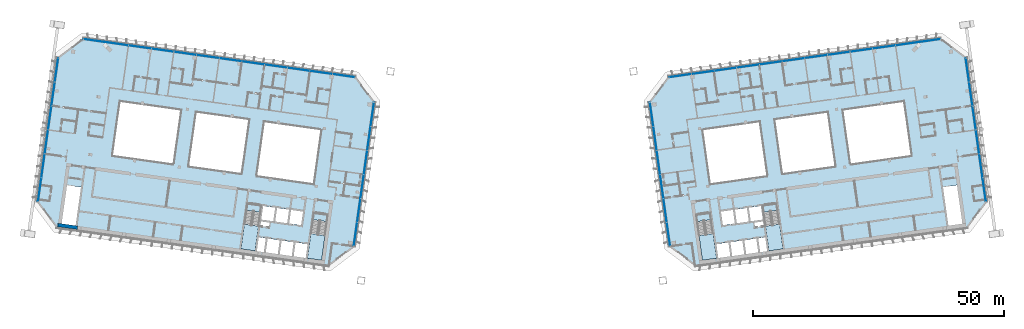
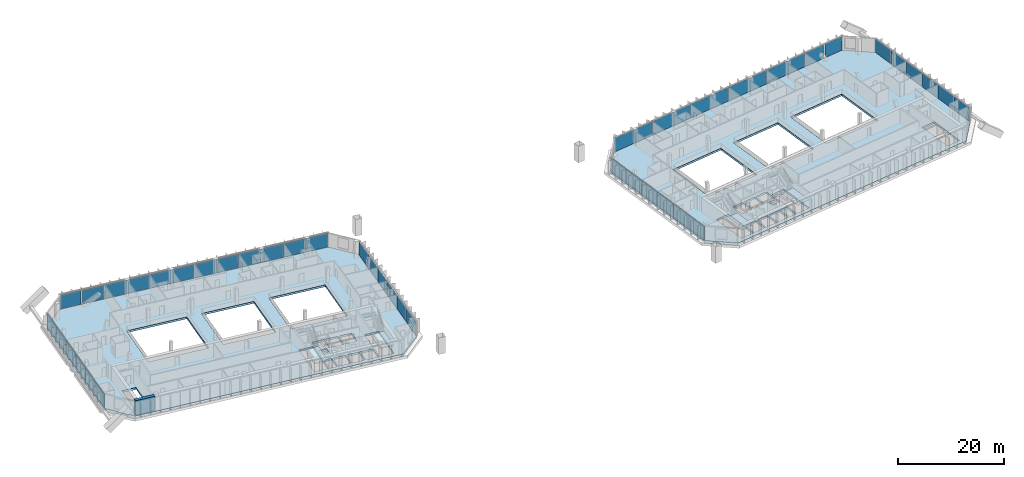
# One storey, part 16 of 32: 48 plates, 6 slabs, 1 wall, 10 elements without a shape of their own.
"""IFC4 building model written with IfcOpenShell, lengths in metres."""

from ifc_helpers import new_model, si_unit, direction, frame, frame_2d, origin, origin_2d, place, context, subcontext, project, spatial, polyline, rectangle, outline, extrude, material, layer, layer_set, type_object, element, aggregate, save


model = new_model("IFC4")

# Units and contexts
model_context = context("Model", 3, precision=1e-05, world=origin(), true_north=direction((0.0, 1.0)))
body_context = subcontext(model_context, "Body", "Model", "MODEL_VIEW")
ifc_project = project(units=[si_unit("LENGTHUNIT", "METRE"), si_unit("AREAUNIT", "SQUARE_METRE"), si_unit("VOLUMEUNIT", "CUBIC_METRE"), si_unit("PLANEANGLEUNIT", "RADIAN"), si_unit("MASSUNIT", "GRAM", prefix="KILO")], contexts=[model_context])

# Site, building, storey
site_placement = place(None, origin())
site = spatial("IfcSite", under=ifc_project, at=site_placement, CompositionType="ELEMENT")
building_placement = place(site_placement, origin())
building = spatial("IfcBuilding", under=site, at=building_placement, Name="Mirante Cascada Hotel Towers", CompositionType="ELEMENT")
storey_placement = place(building_placement, frame((0.0, 0.0, 176.4)))
storey = spatial("IfcBuildingStorey", under=building, at=storey_placement, Name="L41", CompositionType="ELEMENT", Elevation=176.4)

# Curtain wall, plates
ifc_material_1 = material(Name="Aluminium mullion and transom frame with clear laminated glass", Category="aluminium")
curtain_wall_type_1 = type_object("IfcCurtainWallType", Name="Ribbon curtain wall ECW1", PredefinedType="NOTDEFINED", material=ifc_material_1)
curtain_wall_1_placement = place(storey_placement, origin())
curtain_wall_1 = element("IfcCurtainWall", 1, at=curtain_wall_1_placement, inside=storey, type_object=curtain_wall_type_1, Name="Front ribbon wall T1 L41", PredefinedType="NOTDEFINED")
ifc_material_2 = material(Name="Clear laminated glass", Category="glass")
ifc_layer_1 = layer(ifc_material_2, 0.036)
ifc_layer_set_1 = layer_set([ifc_layer_1], Name="ECW1 glass panel 36")
plate_type_1 = type_object("IfcPlateType", Name="ECW1 glass panel 36", PredefinedType="CURTAIN_PANEL", material=ifc_layer_set_1)
plate_1_placement = place(storey_placement, frame((-83.1305, 24.5023, 0.1), z_axis=(0.0, 0.0, 1.0), x_axis=(0.9902681, -0.1391731, 0.0)))
plate_1 = element("IfcPlate", 2, at=plate_1_placement, type_object=plate_type_1, Name="ECW1 panel 1", PredefinedType="CURTAIN_PANEL", context=body_context, shape_type="SweptSolid", body=[
    extrude(rectangle(XDim=4.1421, YDim=0.036, at=origin_2d()), origin(), (0.0, 0.0, 1.0), 3.15),
])
plate_2_placement = place(storey_placement, frame((-78.4889, 23.8499, 0.1), z_axis=(0.0, 0.0, 1.0), x_axis=(0.9902681, -0.1391731, 0.0)))
plate_2 = element("IfcPlate", 3, at=plate_2_placement, type_object=plate_type_1, Name="ECW1 panel 2", PredefinedType="CURTAIN_PANEL", context=body_context, shape_type="SweptSolid", body=[
    extrude(rectangle(XDim=4.4838, YDim=0.036, at=origin_2d()), origin(), (0.0, 0.0, 1.0), 3.15),
])
plate_3_placement = place(storey_placement, frame((-73.9843, 23.2168, 0.1), z_axis=(0.0, 0.0, 1.0), x_axis=(0.9902681, -0.1391731, 0.0)))
plate_3 = element("IfcPlate", 4, at=plate_3_placement, type_object=plate_type_1, Name="ECW1 panel 3", PredefinedType="CURTAIN_PANEL", context=body_context, shape_type="SweptSolid", body=[
    extrude(rectangle(XDim=4.4838, YDim=0.036, at=origin_2d()), origin(), (0.0, 0.0, 1.0), 3.15),
])
plate_4_placement = place(storey_placement, frame((-69.4798, 22.5838, 0.1), z_axis=(0.0, 0.0, 1.0), x_axis=(0.9902681, -0.1391731, 0.0)))
plate_4 = element("IfcPlate", 5, at=plate_4_placement, type_object=plate_type_1, Name="ECW1 panel 4", PredefinedType="CURTAIN_PANEL", context=body_context, shape_type="SweptSolid", body=[
    extrude(rectangle(XDim=4.4838, YDim=0.036, at=origin_2d()), origin(), (0.0, 0.0, 1.0), 3.15),
])
plate_5_placement = place(storey_placement, frame((-64.9752, 21.9507, 0.1), z_axis=(0.0, 0.0, 1.0), x_axis=(0.9902681, -0.1391731, 0.0)))
plate_5 = element("IfcPlate", 6, at=plate_5_placement, type_object=plate_type_1, Name="ECW1 panel 5", PredefinedType="CURTAIN_PANEL", context=body_context, shape_type="SweptSolid", body=[
    extrude(rectangle(XDim=4.4838, YDim=0.036, at=origin_2d()), origin(), (0.0, 0.0, 1.0), 3.15),
])
plate_6_placement = place(storey_placement, frame((-60.4707, 21.3176, 0.1), z_axis=(0.0, 0.0, 1.0), x_axis=(0.9902681, -0.1391731, 0.0)))
plate_6 = element("IfcPlate", 7, at=plate_6_placement, type_object=plate_type_1, Name="ECW1 panel 6", PredefinedType="CURTAIN_PANEL", context=body_context, shape_type="SweptSolid", body=[
    extrude(rectangle(XDim=4.4838, YDim=0.036, at=origin_2d()), origin(), (0.0, 0.0, 1.0), 3.15),
])
plate_7_placement = place(storey_placement, frame((-55.9661, 20.6845, 0.1), z_axis=(0.0, 0.0, 1.0), x_axis=(0.9902681, -0.1391731, 0.0)))
plate_7 = element("IfcPlate", 8, at=plate_7_placement, type_object=plate_type_1, Name="ECW1 panel 7", PredefinedType="CURTAIN_PANEL", context=body_context, shape_type="SweptSolid", body=[
    extrude(rectangle(XDim=4.4838, YDim=0.036, at=origin_2d()), origin(), (0.0, 0.0, 1.0), 3.15),
])
plate_8_placement = place(storey_placement, frame((-51.4616, 20.0515, 0.1), z_axis=(0.0, 0.0, 1.0), x_axis=(0.9902681, -0.1391731, 0.0)))
plate_8 = element("IfcPlate", 9, at=plate_8_placement, type_object=plate_type_1, Name="ECW1 panel 8", PredefinedType="CURTAIN_PANEL", context=body_context, shape_type="SweptSolid", body=[
    extrude(rectangle(XDim=4.4838, YDim=0.036, at=origin_2d()), origin(), (0.0, 0.0, 1.0), 3.15),
])
plate_9_placement = place(storey_placement, frame((-46.957, 19.4184, 0.1), z_axis=(0.0, 0.0, 1.0), x_axis=(0.9902681, -0.1391731, 0.0)))
plate_9 = element("IfcPlate", 10, at=plate_9_placement, type_object=plate_type_1, Name="ECW1 panel 9", PredefinedType="CURTAIN_PANEL", context=body_context, shape_type="SweptSolid", body=[
    extrude(rectangle(XDim=4.4838, YDim=0.036, at=origin_2d()), origin(), (0.0, 0.0, 1.0), 3.15),
])
plate_10_placement = place(storey_placement, frame((-42.4524, 18.7853, 0.1), z_axis=(0.0, 0.0, 1.0), x_axis=(0.9902681, -0.1391731, 0.0)))
plate_10 = element("IfcPlate", 11, at=plate_10_placement, type_object=plate_type_1, Name="ECW1 panel 10", PredefinedType="CURTAIN_PANEL", context=body_context, shape_type="SweptSolid", body=[
    extrude(rectangle(XDim=4.4838, YDim=0.036, at=origin_2d()), origin(), (0.0, 0.0, 1.0), 3.15),
])
plate_11_placement = place(storey_placement, frame((-37.9479, 18.1523, 0.1), z_axis=(0.0, 0.0, 1.0), x_axis=(0.9902681, -0.1391731, 0.0)))
plate_11 = element("IfcPlate", 12, at=plate_11_placement, type_object=plate_type_1, Name="ECW1 panel 11", PredefinedType="CURTAIN_PANEL", context=body_context, shape_type="SweptSolid", body=[
    extrude(rectangle(XDim=4.4838, YDim=0.036, at=origin_2d()), origin(), (0.0, 0.0, 1.0), 3.15),
])
plate_12_placement = place(storey_placement, frame((-33.4594, 17.5214, 0.1), z_axis=(0.0, 0.0, 1.0), x_axis=(0.9902681, -0.1391731, 0.0)))
plate_12 = element("IfcPlate", 13, at=plate_12_placement, type_object=plate_type_1, Name="ECW1 panel 12", PredefinedType="CURTAIN_PANEL", context=body_context, shape_type="SweptSolid", body=[
    extrude(rectangle(XDim=4.4513, YDim=0.036, at=origin_2d()), origin(), (0.0, 0.0, 1.0), 3.15),
])
aggregate(curtain_wall_1, [plate_1, plate_2, plate_3, plate_4, plate_5, plate_6, plate_7, plate_8, plate_9, plate_10, plate_11, plate_12])

curtain_wall_2_placement = place(storey_placement, origin())
curtain_wall_2 = element("IfcCurtainWall", 14, at=curtain_wall_2_placement, inside=storey, type_object=curtain_wall_type_1, Name="Front ribbon wall T2 L41", PredefinedType="NOTDEFINED")
plate_13_placement = place(storey_placement, frame((83.1305, 24.5023, 0.1), z_axis=(0.0, 0.0, 1.0), x_axis=(-0.9902681, -0.1391731, 0.0)))
plate_13 = element("IfcPlate", 15, at=plate_13_placement, type_object=plate_type_1, Name="ECW1 panel 1", PredefinedType="CURTAIN_PANEL", context=body_context, shape_type="SweptSolid", body=[
    extrude(rectangle(XDim=4.1421, YDim=0.036, at=origin_2d()), origin(), (0.0, 0.0, 1.0), 3.15),
])
plate_14_placement = place(storey_placement, frame((78.4889, 23.8499, 0.1), z_axis=(0.0, 0.0, 1.0), x_axis=(-0.9902681, -0.1391731, 0.0)))
plate_14 = element("IfcPlate", 16, at=plate_14_placement, type_object=plate_type_1, Name="ECW1 panel 2", PredefinedType="CURTAIN_PANEL", context=body_context, shape_type="SweptSolid", body=[
    extrude(rectangle(XDim=4.4838, YDim=0.036, at=origin_2d()), origin(), (0.0, 0.0, 1.0), 3.15),
])
plate_15_placement = place(storey_placement, frame((73.9843, 23.2168, 0.1), z_axis=(0.0, 0.0, 1.0), x_axis=(-0.9902681, -0.1391731, 0.0)))
plate_15 = element("IfcPlate", 17, at=plate_15_placement, type_object=plate_type_1, Name="ECW1 panel 3", PredefinedType="CURTAIN_PANEL", context=body_context, shape_type="SweptSolid", body=[
    extrude(rectangle(XDim=4.4838, YDim=0.036, at=origin_2d()), origin(), (0.0, 0.0, 1.0), 3.15),
])
plate_16_placement = place(storey_placement, frame((69.4798, 22.5838, 0.1), z_axis=(0.0, 0.0, 1.0), x_axis=(-0.9902681, -0.1391731, 0.0)))
plate_16 = element("IfcPlate", 18, at=plate_16_placement, type_object=plate_type_1, Name="ECW1 panel 4", PredefinedType="CURTAIN_PANEL", context=body_context, shape_type="SweptSolid", body=[
    extrude(rectangle(XDim=4.4838, YDim=0.036, at=origin_2d()), origin(), (0.0, 0.0, 1.0), 3.15),
])
plate_17_placement = place(storey_placement, frame((64.9752, 21.9507, 0.1), z_axis=(0.0, 0.0, 1.0), x_axis=(-0.9902681, -0.1391731, 0.0)))
plate_17 = element("IfcPlate", 19, at=plate_17_placement, type_object=plate_type_1, Name="ECW1 panel 5", PredefinedType="CURTAIN_PANEL", context=body_context, shape_type="SweptSolid", body=[
    extrude(rectangle(XDim=4.4838, YDim=0.036, at=origin_2d()), origin(), (0.0, 0.0, 1.0), 3.15),
])
plate_18_placement = place(storey_placement, frame((60.4707, 21.3176, 0.1), z_axis=(0.0, 0.0, 1.0), x_axis=(-0.9902681, -0.1391731, 0.0)))
plate_18 = element("IfcPlate", 20, at=plate_18_placement, type_object=plate_type_1, Name="ECW1 panel 6", PredefinedType="CURTAIN_PANEL", context=body_context, shape_type="SweptSolid", body=[
    extrude(rectangle(XDim=4.4838, YDim=0.036, at=origin_2d()), origin(), (0.0, 0.0, 1.0), 3.15),
])
plate_19_placement = place(storey_placement, frame((55.9661, 20.6845, 0.1), z_axis=(0.0, 0.0, 1.0), x_axis=(-0.9902681, -0.1391731, 0.0)))
plate_19 = element("IfcPlate", 21, at=plate_19_placement, type_object=plate_type_1, Name="ECW1 panel 7", PredefinedType="CURTAIN_PANEL", context=body_context, shape_type="SweptSolid", body=[
    extrude(rectangle(XDim=4.4838, YDim=0.036, at=origin_2d()), origin(), (0.0, 0.0, 1.0), 3.15),
])
plate_20_placement = place(storey_placement, frame((51.4616, 20.0515, 0.1), z_axis=(0.0, 0.0, 1.0), x_axis=(-0.9902681, -0.1391731, 0.0)))
plate_20 = element("IfcPlate", 22, at=plate_20_placement, type_object=plate_type_1, Name="ECW1 panel 8", PredefinedType="CURTAIN_PANEL", context=body_context, shape_type="SweptSolid", body=[
    extrude(rectangle(XDim=4.4838, YDim=0.036, at=origin_2d()), origin(), (0.0, 0.0, 1.0), 3.15),
])
plate_21_placement = place(storey_placement, frame((46.957, 19.4184, 0.1), z_axis=(0.0, 0.0, 1.0), x_axis=(-0.9902681, -0.1391731, 0.0)))
plate_21 = element("IfcPlate", 23, at=plate_21_placement, type_object=plate_type_1, Name="ECW1 panel 9", PredefinedType="CURTAIN_PANEL", context=body_context, shape_type="SweptSolid", body=[
    extrude(rectangle(XDim=4.4838, YDim=0.036, at=origin_2d()), origin(), (0.0, 0.0, 1.0), 3.15),
])
plate_22_placement = place(storey_placement, frame((42.4524, 18.7853, 0.1), z_axis=(0.0, 0.0, 1.0), x_axis=(-0.9902681, -0.1391731, 0.0)))
plate_22 = element("IfcPlate", 24, at=plate_22_placement, type_object=plate_type_1, Name="ECW1 panel 10", PredefinedType="CURTAIN_PANEL", context=body_context, shape_type="SweptSolid", body=[
    extrude(rectangle(XDim=4.4838, YDim=0.036, at=origin_2d()), origin(), (0.0, 0.0, 1.0), 3.15),
])
plate_23_placement = place(storey_placement, frame((37.9479, 18.1523, 0.1), z_axis=(0.0, 0.0, 1.0), x_axis=(-0.9902681, -0.1391731, 0.0)))
plate_23 = element("IfcPlate", 25, at=plate_23_placement, type_object=plate_type_1, Name="ECW1 panel 11", PredefinedType="CURTAIN_PANEL", context=body_context, shape_type="SweptSolid", body=[
    extrude(rectangle(XDim=4.4838, YDim=0.036, at=origin_2d()), origin(), (0.0, 0.0, 1.0), 3.15),
])
plate_24_placement = place(storey_placement, frame((33.4594, 17.5214, 0.1), z_axis=(0.0, 0.0, 1.0), x_axis=(-0.9902681, -0.1391731, 0.0)))
plate_24 = element("IfcPlate", 26, at=plate_24_placement, type_object=plate_type_1, Name="ECW1 panel 12", PredefinedType="CURTAIN_PANEL", context=body_context, shape_type="SweptSolid", body=[
    extrude(rectangle(XDim=4.4513, YDim=0.036, at=origin_2d()), origin(), (0.0, 0.0, 1.0), 3.15),
])
aggregate(curtain_wall_2, [plate_13, plate_14, plate_15, plate_16, plate_17, plate_18, plate_19, plate_20, plate_21, plate_22, plate_23, plate_24])

ifc_material_3 = material(Name="Aluminium mullion and transom frame with clear laminated glass", Category="aluminium")
curtain_wall_type_2 = type_object("IfcCurtainWallType", Name="End ribbon curtain wall ECW2", PredefinedType="NOTDEFINED", material=ifc_material_3)
curtain_wall_3_placement = place(storey_placement, origin())
curtain_wall_3 = element("IfcCurtainWall", 27, at=curtain_wall_3_placement, inside=storey, type_object=curtain_wall_type_2, Name="Inner end wall T1 L41", PredefinedType="NOTDEFINED")
ifc_material_4 = material(Name="Clear laminated glass", Category="glass")
ifc_layer_2 = layer(ifc_material_4, 0.034)
ifc_layer_set_2 = layer_set([ifc_layer_2], Name="ECW2 glass panel 34")
plate_type_2 = type_object("IfcPlateType", Name="ECW2 glass panel 34", PredefinedType="CURTAIN_PANEL", material=ifc_layer_set_2)
plate_25_placement = place(storey_placement, frame((-27.7731, 9.8204, 0.1), z_axis=(0.0, 0.0, 1.0), x_axis=(-0.1391731, -0.9902681, 0.0)))
plate_25 = element("IfcPlate", 28, at=plate_25_placement, type_object=plate_type_2, Name="ECW2 panel 1", PredefinedType="CURTAIN_PANEL", context=body_context, shape_type="SweptSolid", body=[
    extrude(rectangle(XDim=4.7151, YDim=0.034, at=origin_2d()), origin(), (0.0, 0.0, 1.0), 3.15),
])
plate_26_placement = place(storey_placement, frame((-28.4406, 5.0707, 0.1), z_axis=(0.0, 0.0, 1.0), x_axis=(-0.1391731, -0.9902681, 0.0)))
plate_26 = element("IfcPlate", 29, at=plate_26_placement, type_object=plate_type_2, Name="ECW2 panel 2", PredefinedType="CURTAIN_PANEL", context=body_context, shape_type="SweptSolid", body=[
    extrude(rectangle(XDim=4.7476, YDim=0.034, at=origin_2d()), origin(), (0.0, 0.0, 1.0), 3.15),
])
plate_27_placement = place(storey_placement, frame((-29.1104, 0.3049, 0.1), z_axis=(0.0, 0.0, 1.0), x_axis=(-0.1391731, -0.9902681, 0.0)))
plate_27 = element("IfcPlate", 30, at=plate_27_placement, type_object=plate_type_2, Name="ECW2 panel 3", PredefinedType="CURTAIN_PANEL", context=body_context, shape_type="SweptSolid", body=[
    extrude(rectangle(XDim=4.7476, YDim=0.034, at=origin_2d()), origin(), (0.0, 0.0, 1.0), 3.15),
])
plate_28_placement = place(storey_placement, frame((-29.7802, -4.4609, 0.1), z_axis=(0.0, 0.0, 1.0), x_axis=(-0.1391731, -0.9902681, 0.0)))
plate_28 = element("IfcPlate", 31, at=plate_28_placement, type_object=plate_type_2, Name="ECW2 panel 4", PredefinedType="CURTAIN_PANEL", context=body_context, shape_type="SweptSolid", body=[
    extrude(rectangle(XDim=4.7476, YDim=0.034, at=origin_2d()), origin(), (0.0, 0.0, 1.0), 3.15),
])
plate_29_placement = place(storey_placement, frame((-30.4499, -9.2266, 0.1), z_axis=(0.0, 0.0, 1.0), x_axis=(-0.1391731, -0.9902681, 0.0)))
plate_29 = element("IfcPlate", 32, at=plate_29_placement, type_object=plate_type_2, Name="ECW2 panel 5", PredefinedType="CURTAIN_PANEL", context=body_context, shape_type="SweptSolid", body=[
    extrude(rectangle(XDim=4.7476, YDim=0.034, at=origin_2d()), origin(), (0.0, 0.0, 1.0), 3.15),
])
plate_30_placement = place(storey_placement, frame((-31.1175, -13.9763, 0.1), z_axis=(0.0, 0.0, 1.0), x_axis=(-0.1391731, -0.9902681, 0.0)))
plate_30 = element("IfcPlate", 33, at=plate_30_placement, type_object=plate_type_2, Name="ECW2 panel 6", PredefinedType="CURTAIN_PANEL", context=body_context, shape_type="SweptSolid", body=[
    extrude(rectangle(XDim=4.7151, YDim=0.034, at=origin_2d()), origin(), (0.0, 0.0, 1.0), 3.15),
])
aggregate(curtain_wall_3, [plate_25, plate_26, plate_27, plate_28, plate_29, plate_30])

curtain_wall_4_placement = place(storey_placement, origin())
curtain_wall_4 = element("IfcCurtainWall", 34, at=curtain_wall_4_placement, inside=storey, type_object=curtain_wall_type_2, Name="Outer end wall T1 L41", PredefinedType="NOTDEFINED")
plate_31_placement = place(storey_placement, frame((-93.9106, -5.1513, 0.1), z_axis=(0.0, 0.0, 1.0), x_axis=(0.1391731, 0.9902681, 0.0)))
plate_31 = element("IfcPlate", 35, at=plate_31_placement, type_object=plate_type_2, Name="ECW2 panel 1", PredefinedType="CURTAIN_PANEL", context=body_context, shape_type="SweptSolid", body=[
    extrude(rectangle(XDim=4.7151, YDim=0.034, at=origin_2d()), origin(), (0.0, 0.0, 1.0), 3.15),
])
plate_32_placement = place(storey_placement, frame((-93.243, -0.4017, 0.1), z_axis=(0.0, 0.0, 1.0), x_axis=(0.1391731, 0.9902681, 0.0)))
plate_32 = element("IfcPlate", 36, at=plate_32_placement, type_object=plate_type_2, Name="ECW2 panel 2", PredefinedType="CURTAIN_PANEL", context=body_context, shape_type="SweptSolid", body=[
    extrude(rectangle(XDim=4.7476, YDim=0.034, at=origin_2d()), origin(), (0.0, 0.0, 1.0), 3.15),
])
plate_33_placement = place(storey_placement, frame((-91.2337, 13.8957, 0.1), z_axis=(0.0, 0.0, 1.0), x_axis=(0.1391731, 0.9902681, 0.0)))
plate_33 = element("IfcPlate", 37, at=plate_33_placement, type_object=plate_type_2, Name="ECW2 panel 5", PredefinedType="CURTAIN_PANEL", context=body_context, shape_type="SweptSolid", body=[
    extrude(rectangle(XDim=4.7476, YDim=0.034, at=origin_2d()), origin(), (0.0, 0.0, 1.0), 3.15),
])
plate_34_placement = place(storey_placement, frame((-90.5661, 18.6454, 0.1), z_axis=(0.0, 0.0, 1.0), x_axis=(0.1391731, 0.9902681, 0.0)))
plate_34 = element("IfcPlate", 38, at=plate_34_placement, type_object=plate_type_2, Name="ECW2 panel 6", PredefinedType="CURTAIN_PANEL", context=body_context, shape_type="SweptSolid", body=[
    extrude(rectangle(XDim=4.7151, YDim=0.034, at=origin_2d()), origin(), (0.0, 0.0, 1.0), 3.15),
])

curtain_wall_5_placement = place(storey_placement, origin())
curtain_wall_5 = element("IfcCurtainWall", 39, at=curtain_wall_5_placement, inside=storey, type_object=curtain_wall_type_2, Name="Inner end wall T2 L41", PredefinedType="NOTDEFINED")
plate_35_placement = place(storey_placement, frame((27.7731, 9.8204, 0.1), z_axis=(0.0, 0.0, 1.0), x_axis=(0.1391731, -0.9902681, 0.0)))
plate_35 = element("IfcPlate", 40, at=plate_35_placement, type_object=plate_type_2, Name="ECW2 panel 1", PredefinedType="CURTAIN_PANEL", context=body_context, shape_type="SweptSolid", body=[
    extrude(rectangle(XDim=4.7151, YDim=0.034, at=origin_2d()), origin(), (0.0, 0.0, 1.0), 3.15),
])
plate_36_placement = place(storey_placement, frame((28.4406, 5.0707, 0.1), z_axis=(0.0, 0.0, 1.0), x_axis=(0.1391731, -0.9902681, 0.0)))
plate_36 = element("IfcPlate", 41, at=plate_36_placement, type_object=plate_type_2, Name="ECW2 panel 2", PredefinedType="CURTAIN_PANEL", context=body_context, shape_type="SweptSolid", body=[
    extrude(rectangle(XDim=4.7476, YDim=0.034, at=origin_2d()), origin(), (0.0, 0.0, 1.0), 3.15),
])
plate_37_placement = place(storey_placement, frame((29.1104, 0.3049, 0.1), z_axis=(0.0, 0.0, 1.0), x_axis=(0.1391731, -0.9902681, 0.0)))
plate_37 = element("IfcPlate", 42, at=plate_37_placement, type_object=plate_type_2, Name="ECW2 panel 3", PredefinedType="CURTAIN_PANEL", context=body_context, shape_type="SweptSolid", body=[
    extrude(rectangle(XDim=4.7476, YDim=0.034, at=origin_2d()), origin(), (0.0, 0.0, 1.0), 3.15),
])
plate_38_placement = place(storey_placement, frame((29.7802, -4.4609, 0.1), z_axis=(0.0, 0.0, 1.0), x_axis=(0.1391731, -0.9902681, 0.0)))
plate_38 = element("IfcPlate", 43, at=plate_38_placement, type_object=plate_type_2, Name="ECW2 panel 4", PredefinedType="CURTAIN_PANEL", context=body_context, shape_type="SweptSolid", body=[
    extrude(rectangle(XDim=4.7476, YDim=0.034, at=origin_2d()), origin(), (0.0, 0.0, 1.0), 3.15),
])
plate_39_placement = place(storey_placement, frame((30.4499, -9.2266, 0.1), z_axis=(0.0, 0.0, 1.0), x_axis=(0.1391731, -0.9902681, 0.0)))
plate_39 = element("IfcPlate", 44, at=plate_39_placement, type_object=plate_type_2, Name="ECW2 panel 5", PredefinedType="CURTAIN_PANEL", context=body_context, shape_type="SweptSolid", body=[
    extrude(rectangle(XDim=4.7476, YDim=0.034, at=origin_2d()), origin(), (0.0, 0.0, 1.0), 3.15),
])
plate_40_placement = place(storey_placement, frame((31.1175, -13.9763, 0.1), z_axis=(0.0, 0.0, 1.0), x_axis=(0.1391731, -0.9902681, 0.0)))
plate_40 = element("IfcPlate", 45, at=plate_40_placement, type_object=plate_type_2, Name="ECW2 panel 6", PredefinedType="CURTAIN_PANEL", context=body_context, shape_type="SweptSolid", body=[
    extrude(rectangle(XDim=4.7151, YDim=0.034, at=origin_2d()), origin(), (0.0, 0.0, 1.0), 3.15),
])
aggregate(curtain_wall_5, [plate_35, plate_36, plate_37, plate_38, plate_39, plate_40])

curtain_wall_6_placement = place(storey_placement, origin())
curtain_wall_6 = element("IfcCurtainWall", 46, at=curtain_wall_6_placement, inside=storey, type_object=curtain_wall_type_2, Name="Outer end wall T2 L41", PredefinedType="NOTDEFINED")
plate_41_placement = place(storey_placement, frame((93.9106, -5.1513, 0.1), z_axis=(0.0, 0.0, 1.0), x_axis=(-0.1391731, 0.9902681, 0.0)))
plate_41 = element("IfcPlate", 47, at=plate_41_placement, type_object=plate_type_2, Name="ECW2 panel 1", PredefinedType="CURTAIN_PANEL", context=body_context, shape_type="SweptSolid", body=[
    extrude(rectangle(XDim=4.7151, YDim=0.034, at=origin_2d()), origin(), (0.0, 0.0, 1.0), 3.15),
])
plate_42_placement = place(storey_placement, frame((93.243, -0.4017, 0.1), z_axis=(0.0, 0.0, 1.0), x_axis=(-0.1391731, 0.9902681, 0.0)))
plate_42 = element("IfcPlate", 48, at=plate_42_placement, type_object=plate_type_2, Name="ECW2 panel 2", PredefinedType="CURTAIN_PANEL", context=body_context, shape_type="SweptSolid", body=[
    extrude(rectangle(XDim=4.7476, YDim=0.034, at=origin_2d()), origin(), (0.0, 0.0, 1.0), 3.15),
])
plate_43_placement = place(storey_placement, frame((91.2337, 13.8957, 0.1), z_axis=(0.0, 0.0, 1.0), x_axis=(-0.1391731, 0.9902681, 0.0)))
plate_43 = element("IfcPlate", 49, at=plate_43_placement, type_object=plate_type_2, Name="ECW2 panel 5", PredefinedType="CURTAIN_PANEL", context=body_context, shape_type="SweptSolid", body=[
    extrude(rectangle(XDim=4.7476, YDim=0.034, at=origin_2d()), origin(), (0.0, 0.0, 1.0), 3.15),
])
plate_44_placement = place(storey_placement, frame((90.5661, 18.6454, 0.1), z_axis=(0.0, 0.0, 1.0), x_axis=(-0.1391731, 0.9902681, 0.0)))
plate_44 = element("IfcPlate", 50, at=plate_44_placement, type_object=plate_type_2, Name="ECW2 panel 6", PredefinedType="CURTAIN_PANEL", context=body_context, shape_type="SweptSolid", body=[
    extrude(rectangle(XDim=4.7151, YDim=0.034, at=origin_2d()), origin(), (0.0, 0.0, 1.0), 3.15),
])

# Plate
ifc_material_5 = material(Name="Insulated aluminium spandrel panel", Category="aluminium")
ifc_layer_3 = layer(ifc_material_5, 0.034)
ifc_layer_set_3 = layer_set([ifc_layer_3], Name="ECW2 spandrel panel 34")
plate_type_3 = type_object("IfcPlateType", Name="ECW2 spandrel panel 34", PredefinedType="CURTAIN_PANEL", material=ifc_layer_set_3)
plate_45_placement = place(storey_placement, frame((-92.5732, 4.3641, 0.1), z_axis=(0.0, 0.0, 1.0), x_axis=(0.1391731, 0.9902681, 0.0)))
plate_45 = element("IfcPlate", 51, at=plate_45_placement, type_object=plate_type_3, Name="ECW2 panel 3", PredefinedType="CURTAIN_PANEL", context=body_context, shape_type="SweptSolid", body=[
    extrude(rectangle(XDim=4.7476, YDim=0.034, at=origin_2d()), origin(), (0.0, 0.0, 1.0), 3.15),
])

plate_46_placement = place(storey_placement, frame((-91.9035, 9.1299, 0.1), z_axis=(0.0, 0.0, 1.0), x_axis=(0.1391731, 0.9902681, 0.0)))
plate_46 = element("IfcPlate", 52, at=plate_46_placement, type_object=plate_type_3, Name="ECW2 panel 4", PredefinedType="CURTAIN_PANEL", context=body_context, shape_type="SweptSolid", body=[
    extrude(rectangle(XDim=4.7476, YDim=0.034, at=origin_2d()), origin(), (0.0, 0.0, 1.0), 3.15),
])

aggregate(curtain_wall_4, [plate_31, plate_32, plate_45, plate_46, plate_33, plate_34])

plate_47_placement = place(storey_placement, frame((92.5732, 4.3641, 0.1), z_axis=(0.0, 0.0, 1.0), x_axis=(-0.1391731, 0.9902681, 0.0)))
plate_47 = element("IfcPlate", 53, at=plate_47_placement, type_object=plate_type_3, Name="ECW2 panel 3", PredefinedType="CURTAIN_PANEL", context=body_context, shape_type="SweptSolid", body=[
    extrude(rectangle(XDim=4.7476, YDim=0.034, at=origin_2d()), origin(), (0.0, 0.0, 1.0), 3.15),
])

plate_48_placement = place(storey_placement, frame((91.9035, 9.1299, 0.1), z_axis=(0.0, 0.0, 1.0), x_axis=(-0.1391731, 0.9902681, 0.0)))
plate_48 = element("IfcPlate", 54, at=plate_48_placement, type_object=plate_type_3, Name="ECW2 panel 4", PredefinedType="CURTAIN_PANEL", context=body_context, shape_type="SweptSolid", body=[
    extrude(rectangle(XDim=4.7476, YDim=0.034, at=origin_2d()), origin(), (0.0, 0.0, 1.0), 3.15),
])

aggregate(curtain_wall_6, [plate_41, plate_42, plate_47, plate_48, plate_43, plate_44])

# Stair, slab
ifc_material_6 = material(Name="Concrete C35/45", Category="concrete")
stair_type = type_object("IfcStairType", Name="Exit stair half-turn 1350 concrete C35/45", PredefinedType="HALF_TURN_STAIR", material=ifc_material_6)
stair_1_placement = place(storey_placement, origin())
stair_1 = element("IfcStair", 55, at=stair_1_placement, inside=storey, type_object=stair_type, Name="L41 Exit stair A", PredefinedType="HALF_TURN_STAIR")
ifc_material_7 = material(Name="Concrete C35/45", Category="concrete")
ifc_layer_4 = layer(ifc_material_7, 0.2)
ifc_layer_set_4 = layer_set([ifc_layer_4], Name="Exit stair landing 200 concrete C35/45")
slab_type_1 = type_object("IfcSlabType", Name="Exit stair landing 200 concrete C35/45", PredefinedType="LANDING", material=ifc_layer_set_4)
slab_1_placement = place(storey_placement, frame((0.0, 0.0, 1.7)))
slab_1 = element("IfcSlab", 56, at=slab_1_placement, type_object=slab_type_1, Name="ST1-A landing 1", PredefinedType="LANDING", context=body_context, shape_type="SweptSolid", body=[
    extrude(outline(polyline([(-39.9987, -13.8659), (-40.6887, -18.7757), (-37.8665, -19.1723), (-37.1765, -14.2626), (-39.9987, -13.8659)])), origin(), (0.0, 0.0, 1.0), 0.2),
])
aggregate(stair_1, [slab_1])

stair_2_placement = place(storey_placement, origin())
stair_2 = element("IfcStair", 57, at=stair_2_placement, inside=storey, type_object=stair_type, Name="L41 Exit stair B", PredefinedType="HALF_TURN_STAIR")
slab_2_placement = place(storey_placement, frame((0.0, 0.0, 1.7)))
slab_2 = element("IfcSlab", 58, at=slab_2_placement, type_object=slab_type_1, Name="ST1-B landing 1", PredefinedType="LANDING", context=body_context, shape_type="SweptSolid", body=[
    extrude(outline(polyline([(-53.2188, -12.008), (-53.9088, -16.9177), (-51.0866, -17.3144), (-50.3965, -12.4046), (-53.2188, -12.008)])), origin(), (0.0, 0.0, 1.0), 0.2),
])
aggregate(stair_2, [slab_2])

stair_3_placement = place(storey_placement, origin())
stair_3 = element("IfcStair", 59, at=stair_3_placement, inside=storey, type_object=stair_type, Name="L41 Exit stair A", PredefinedType="HALF_TURN_STAIR")
slab_3_placement = place(storey_placement, frame((0.0, 0.0, 1.7)))
slab_3 = element("IfcSlab", 60, at=slab_3_placement, type_object=slab_type_1, Name="ST2-A landing 1", PredefinedType="LANDING", context=body_context, shape_type="SweptSolid", body=[
    extrude(outline(polyline([(37.1765, -14.2626), (37.8665, -19.1723), (40.6887, -18.7757), (39.9987, -13.8659), (37.1765, -14.2626)])), origin(), (0.0, 0.0, 1.0), 0.2),
])
aggregate(stair_3, [slab_3])

stair_4_placement = place(storey_placement, origin())
stair_4 = element("IfcStair", 61, at=stair_4_placement, inside=storey, type_object=stair_type, Name="L41 Exit stair B", PredefinedType="HALF_TURN_STAIR")
slab_4_placement = place(storey_placement, frame((0.0, 0.0, 1.7)))
slab_4 = element("IfcSlab", 62, at=slab_4_placement, type_object=slab_type_1, Name="ST2-B landing 1", PredefinedType="LANDING", context=body_context, shape_type="SweptSolid", body=[
    extrude(outline(polyline([(50.3965, -12.4046), (51.0866, -17.3144), (53.9088, -16.9177), (53.2188, -12.008), (50.3965, -12.4046)])), origin(), (0.0, 0.0, 1.0), 0.2),
])
aggregate(stair_4, [slab_4])

# Slabs
ifc_material_8 = material(Name="Concrete C40/50", Category="concrete")
ifc_layer_5 = layer(ifc_material_8, 0.45)
ifc_layer_set_5 = layer_set([ifc_layer_5], Name="Post-tensioned flat plate 450 Concrete C40/50")
slab_type_2 = type_object("IfcSlabType", Name="Post-tensioned flat plate 450 Concrete C40/50", PredefinedType="FLOOR", material=ifc_layer_set_5)
slab_5_placement = place(storey_placement, frame((0.0, 0.0, -0.45)))
element("IfcSlab", 63, at=slab_5_placement, inside=storey, type_object=slab_type_2, Name="Floor T1 L41", PredefinedType="FLOOR", context=body_context, shape_type="SweptSolid", body=[
    extrude(outline(polyline([(-31.3147, -16.4577), (-27.2787, 12.26), (-31.1086, 17.3425), (-85.2864, 24.9567), (-90.3689, 21.1268), (-94.4049, -7.591), (-90.575, -12.6735), (-36.3972, -20.2877), (-31.3147, -16.4577)]), holes=[polyline([(-40.5961, -15.9612), (-40.9858, -18.7339), (-43.4615, -18.386), (-43.0718, -15.6132), (-40.5961, -15.9612)]), polyline([(-45.8446, -15.2236), (-43.3689, -15.5715), (-43.7586, -18.3442), (-46.2342, -17.9963), (-45.8446, -15.2236)]), polyline([(-48.6173, -14.8339), (-46.1416, -15.1818), (-46.5313, -17.9546), (-49.007, -17.6066), (-48.6173, -14.8339)]), polyline([(-37.8665, -19.1723), (-40.6887, -18.7757), (-39.611, -11.107), (-36.7887, -11.5037), (-37.8665, -19.1723)]), polyline([(-43.9775, -9.124), (-41.5018, -9.472), (-41.8915, -12.2447), (-44.3672, -11.8968), (-43.9775, -9.124)]), polyline([(-46.7503, -8.7344), (-44.2746, -9.0823), (-44.6643, -11.855), (-47.1399, -11.5071), (-46.7503, -8.7344)]), polyline([(-48.9144, -14.7921), (-49.3041, -17.5649), (-50.7895, -17.3561), (-50.3998, -14.5834), (-48.9144, -14.7921)]), polyline([(-50.0088, -9.6457), (-51.0866, -17.3144), (-53.9088, -16.9177), (-52.8311, -9.2491), (-50.0088, -9.6457)]), polyline([(-85.6585, -4.6355), (-86.7362, -12.3041), (-89.5585, -11.9075), (-88.4807, -4.2388), (-85.6585, -4.6355)]), polyline([(-48.1472, -11.6685), (-48.2829, -12.634), (-50.0901, -12.38), (-49.9544, -11.4145), (-48.1472, -11.6685)]), polyline([(-49.523, -8.3447), (-47.0473, -8.6926), (-47.437, -11.4654), (-49.9127, -11.1174), (-49.523, -8.3447)]), polyline([(-65.7853, 10.704), (-65.7853, 10.704), (-67.3162, -0.189), (-67.3162, -0.189), (-79.4915, 1.5222), (-77.9606, 12.4151), (-65.7853, 10.704)]), polyline([(-52.2409, 8.8004), (-53.7718, -2.0925), (-53.7718, -2.0925), (-64.3434, -0.6068), (-64.3434, -0.6068), (-62.8125, 10.2862), (-62.8125, 10.2862), (-52.2409, 8.8004)]), polyline([(-37.8547, 6.7786), (-39.3856, -4.1144), (-50.799, -2.5103), (-50.799, -2.5103), (-49.2681, 8.3826), (-37.8547, 6.7786)])]), origin(), (0.0, 0.0, 1.0), 0.45),
])
slab_6_placement = place(storey_placement, frame((0.0, 0.0, -0.45)))
element("IfcSlab", 64, at=slab_6_placement, inside=storey, type_object=slab_type_2, Name="Floor T2 L41", PredefinedType="FLOOR", context=body_context, shape_type="SweptSolid", body=[
    extrude(outline(polyline([(31.3147, -16.4577), (27.2787, 12.26), (31.1086, 17.3425), (85.2864, 24.9567), (90.3689, 21.1268), (94.4049, -7.591), (90.575, -12.6735), (36.3972, -20.2877), (31.3147, -16.4577)]), holes=[polyline([(40.5961, -15.9612), (40.9858, -18.7339), (43.4615, -18.386), (43.0718, -15.6132), (40.5961, -15.9612)]), polyline([(45.8446, -15.2236), (43.3689, -15.5715), (43.7586, -18.3442), (46.2342, -17.9963), (45.8446, -15.2236)]), polyline([(48.6173, -14.8339), (46.1416, -15.1818), (46.5313, -17.9546), (49.007, -17.6066), (48.6173, -14.8339)]), polyline([(40.6887, -18.7757), (39.611, -11.107), (36.7887, -11.5037), (37.8665, -19.1723), (40.6887, -18.7757)]), polyline([(43.9775, -9.124), (41.5018, -9.472), (41.8915, -12.2447), (44.3672, -11.8968), (43.9775, -9.124)]), polyline([(46.7503, -8.7344), (44.2746, -9.0823), (44.6643, -11.855), (47.1399, -11.5071), (46.7503, -8.7344)]), polyline([(48.9144, -14.7921), (49.3041, -17.5649), (50.7895, -17.3561), (50.3998, -14.5834), (48.9144, -14.7921)]), polyline([(51.0866, -17.3144), (53.9088, -16.9177), (52.8311, -9.2491), (50.0088, -9.6457), (51.0866, -17.3144)]), polyline([(86.7362, -12.3041), (89.5585, -11.9075), (88.4807, -4.2388), (85.6585, -4.6355), (86.7362, -12.3041)]), polyline([(48.1472, -11.6685), (48.2829, -12.634), (50.0901, -12.38), (49.9544, -11.4145), (48.1472, -11.6685)]), polyline([(49.523, -8.3447), (47.0473, -8.6926), (47.437, -11.4654), (49.9127, -11.1174), (49.523, -8.3447)]), polyline([(77.9606, 12.4151), (79.4915, 1.5222), (67.3162, -0.189), (67.3162, -0.189), (65.7853, 10.704), (65.7853, 10.704), (77.9606, 12.4151)]), polyline([(62.8125, 10.2862), (62.8125, 10.2862), (64.3434, -0.6068), (64.3434, -0.6068), (53.7718, -2.0925), (53.7718, -2.0925), (52.2409, 8.8004), (62.8125, 10.2862)]), polyline([(39.3856, -4.1144), (37.8547, 6.7786), (49.2681, 8.3826), (50.799, -2.5103), (50.799, -2.5103), (39.3856, -4.1144)])]), origin(), (0.0, 0.0, 1.0), 0.45),
])

# Wall
ifc_material_9 = material(Name="Concrete C50/60", Category="concrete")
ifc_layer_6 = layer(ifc_material_9, 0.7)
ifc_layer_set_6 = layer_set([ifc_layer_6], Name="RC core wall 700 C50/60")
wall_type = type_object("IfcWallType", Name="RC core wall 700 C50/60", PredefinedType="SHEAR", material=ifc_layer_set_6)
wall_placement = place(storey_placement, frame((-86.3888, -12.7064, 0.0), z_axis=(0.0, 0.0, 1.0), x_axis=(-0.9902694, 0.1391633, 0.0)))
element("IfcWall", 65, at=wall_placement, inside=storey, type_object=wall_type, Name="Core wall T1:L41:1.7", PredefinedType="SHEAR", context=body_context, shape_type="SweptSolid", body=[
    extrude(rectangle(XDim=3.95, YDim=0.7, at=frame_2d((1.975, 0.0))), origin(), (0.0, 0.0, 1.0), 3.35),
])

save(model, "model.ifc")
